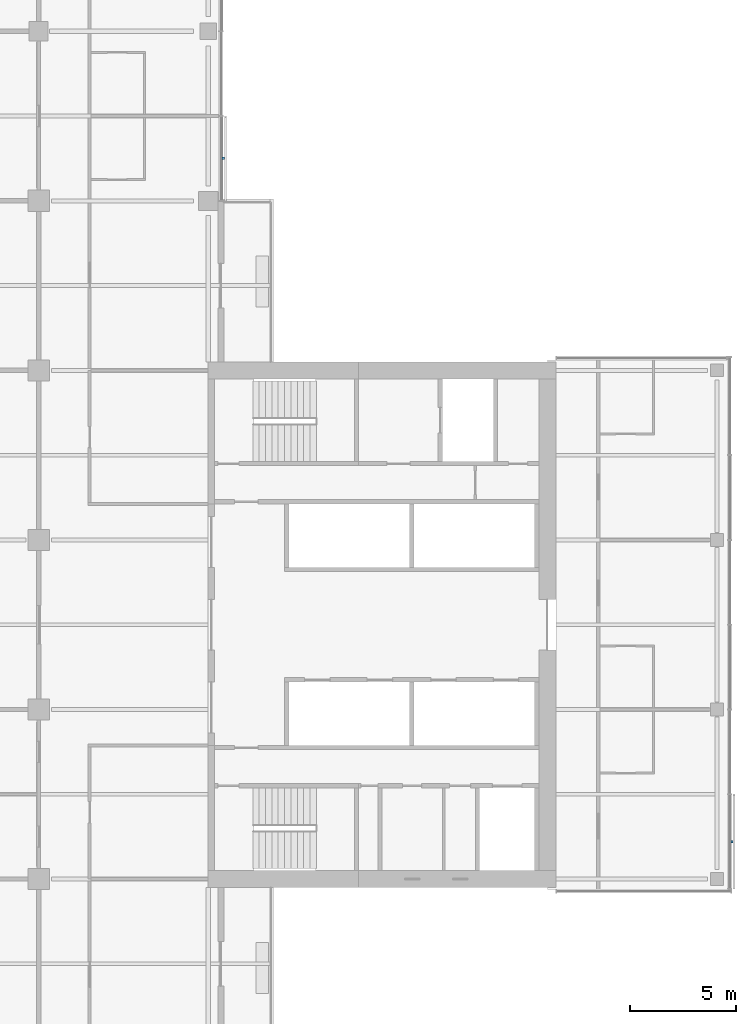
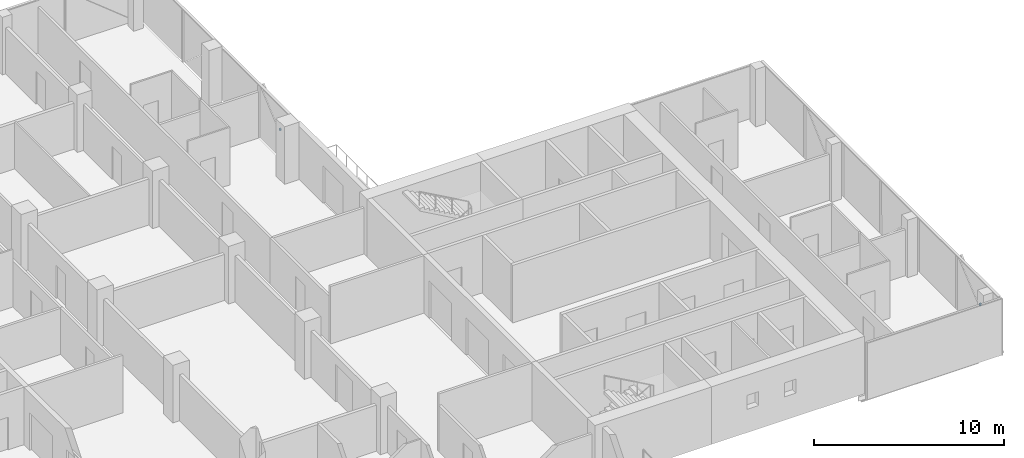
# One storey, part 23 of 25: 2 discrete accessories.
"""IFC4 building model written with IfcOpenShell, lengths in metres."""

from ifc_helpers import new_model, si_unit, direction, frame, origin, origin_2d, place, context, subcontext, project, spatial, rectangle, extrude, material, type_object, element, save


model = new_model("IFC4")

# Units and contexts
model_context = context("Model", 3, precision=1e-05, world=origin(), true_north=direction((0.0, 1.0)))
body_context = subcontext(model_context, "Body", "Model", "MODEL_VIEW")
ifc_project = project(units=[si_unit("LENGTHUNIT", "METRE"), si_unit("AREAUNIT", "SQUARE_METRE"), si_unit("VOLUMEUNIT", "CUBIC_METRE"), si_unit("PLANEANGLEUNIT", "RADIAN"), si_unit("MASSUNIT", "GRAM", prefix="KILO")], contexts=[model_context])

# Site, building, storey
site_placement = place(None, origin())
site = spatial("IfcSite", under=ifc_project, at=site_placement, CompositionType="ELEMENT")
building_placement = place(site_placement, origin())
building = spatial("IfcBuilding", under=site, at=building_placement, Name="Crosswind Convention Tower", CompositionType="ELEMENT")
storey_placement = place(building_placement, frame((0.0, 0.0, 97.89990234375)))
storey = spatial("IfcBuildingStorey", under=building, at=storey_placement, Name="L19", CompositionType="ELEMENT", Elevation=97.89990234375)

# Discrete accessories
ifc_material = material(Name="Stainless steel", Category="steel")
discrete_accessory_type = type_object("IfcDiscreteAccessoryType", Name="BAGUETTE BRACKET BK2", PredefinedType="BRACKET", material=ifc_material)
for number, where, z_axis, x_axis, name in (
    (1, (161.7080078125, 89.766357421875, 1.4775390625), (0.0, 0.0, 1.0), (0.0, 1.0, 0.0), "BK2 baguette bracket"),
    (2, (137.7080078125, 122.0, 1.594970703125), (0.0, 0.0, 1.0), (0.0, 1.0, 0.0), "BK2 baguette bracket"),
):
    element("IfcDiscreteAccessory", number, at=place(storey_placement, frame(where, z_axis=z_axis, x_axis=x_axis)), inside=storey, type_object=discrete_accessory_type, Name=name, PredefinedType="BRACKET", context=body_context, shape_type="SweptSolid", body=[
        extrude(rectangle(XDim=0.1201171875, YDim=0.10009765625, at=origin_2d()), origin(), (0.0, 0.0, 1.0), 0.1201171875),
    ])

save(model, "model.ifc")
